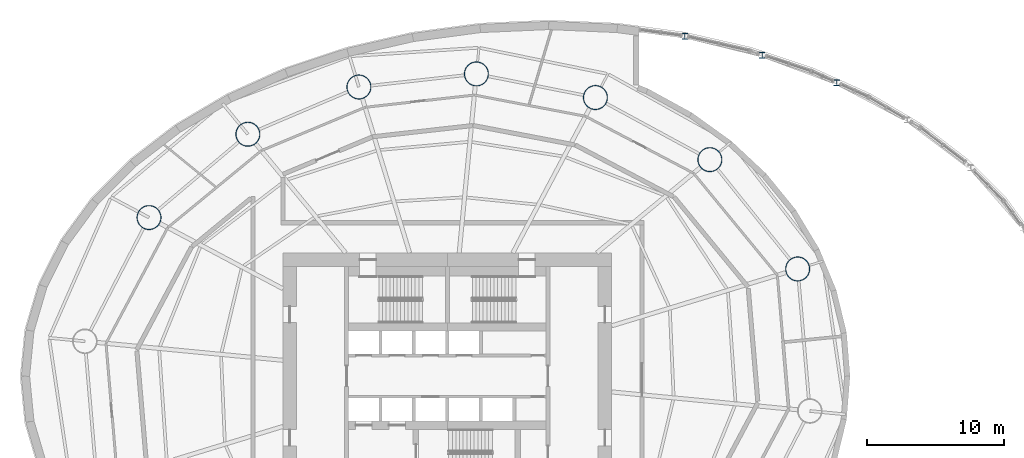
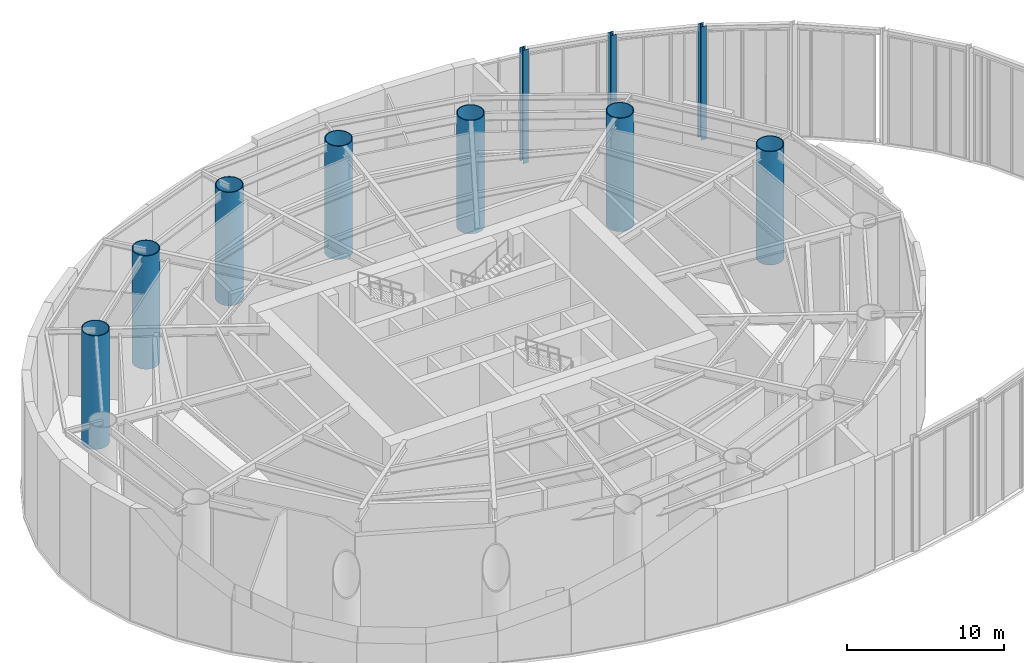
# One storey, part 2 of 19: 10 columns.
"""IFC4 building model written with IfcOpenShell, lengths in metres."""

from ifc_helpers import new_model, si_unit, direction, frame, origin, origin_2d, place, context, subcontext, project, spatial, hollow_circle, i_section, extrude, material, material_profile, profile_set, type_object, element, save


model = new_model("IFC4")

# Units and contexts
model_context = context("Model", 3, precision=1e-05, world=origin(), true_north=direction((0.0, 1.0)))
body_context = subcontext(model_context, "Body", "Model", "MODEL_VIEW")
ifc_project = project(units=[si_unit("LENGTHUNIT", "METRE"), si_unit("AREAUNIT", "SQUARE_METRE"), si_unit("VOLUMEUNIT", "CUBIC_METRE"), si_unit("PLANEANGLEUNIT", "RADIAN"), si_unit("MASSUNIT", "GRAM", prefix="KILO")], contexts=[model_context])

# Site, building, storey
site_placement = place(None, origin())
site = spatial("IfcSite", under=ifc_project, at=site_placement, CompositionType="ELEMENT")
building_placement = place(site_placement, origin())
building = spatial("IfcBuilding", under=site, at=building_placement, Name="Vermilion Reach Broadcast Tower", CompositionType="ELEMENT")
storey_placement = place(building_placement, frame((0.0, 0.0, 8.0)))
storey = spatial("IfcBuildingStorey", under=building, at=storey_placement, Name="L01", CompositionType="ELEMENT", Elevation=8.0)

# Columns
ifc_material_1 = material(Name="Steel S460NL", Category="steel")
ifc_material_profile_1 = material_profile(ifc_material_1, i_section(OverallWidth=0.406982421875, OverallDepth=0.427978515625, WebThickness=0.02001953125, FlangeThickness=0.034912109375, at=origin_2d()), Name="S460NL HW 428x407x20x35")
ifc_profile_set_1 = profile_set([ifc_material_profile_1], Name="Steel S460NL")
column_type_1 = type_object("IfcColumnType", Name="AP HW 428x407x20x35", PredefinedType="COLUMN", material=ifc_profile_set_1)
for number, where, z_axis, x_axis, name in (
    (1, (22.43115234375, 21.408935546875, 0.0), (0.0, 0.0, 1.0), (1.0, 0.0, 0.0), "Atrium post AP13"),
    (2, (16.984619140625, 23.43505859375, 0.0), (0.0, 0.0, 1.0), (1.0, 0.0, 0.0), "Atrium post AP14"),
    (3, (11.337158203125, 24.81884765625, 0.0), (0.0, 0.0, 1.0), (1.0, 0.0, 0.0), "Atrium post AP15"),
):
    element("IfcColumn", number, at=place(storey_placement, frame(where, z_axis=z_axis, x_axis=x_axis)), inside=storey, type_object=column_type_1, Name=name, PredefinedType="COLUMN", context=body_context, shape_type="SweptSolid", body=[
        extrude(i_section(OverallWidth=0.406982421875, OverallDepth=0.427978515625, WebThickness=0.02001953125, FlangeThickness=0.034912109375, at=origin_2d()), origin(), (0.0, 0.0, 1.0), 8.800048828125),
    ])
ifc_material_2 = material(Name="Concrete C80 infill in steel S460NL tube", Category="concrete")
ifc_material_profile_2 = material_profile(ifc_material_2, hollow_circle(Radius=0.89990234375, WallThickness=0.06005859375, at=origin_2d()), Name="Concrete C80 infill in steel S460NL tube CFT 1800x60")
ifc_profile_set_2 = profile_set([ifc_material_profile_2], Name="Concrete C80 infill in steel S460NL tube")
column_type_2 = type_object("IfcColumnType", Name="MC1 CFT 1800x60", PredefinedType="COLUMN", material=ifc_profile_set_2)
for number, where, z_axis, x_axis, name in (
    (4, (19.575439453125, 7.823974609375, 0.0), (0.0, 0.0, 1.0), (1.0, 0.0, 0.0), "Mega-column MC1-01"),
    (5, (13.166259765625, 15.804931640625, 0.0), (0.0, 0.0, 1.0), (1.0, 0.0, 0.0), "Mega-column MC1-02"),
    (6, (4.809814453125, 20.3388671875, 0.0), (0.0, 0.0, 1.0), (1.0, 0.0, 0.0), "Mega-column MC1-03"),
    (7, (-3.87939453125, 22.06396484375, 0.0), (0.0, 0.0, 1.0), (1.0, 0.0, 0.0), "Mega-column MC1-04"),
    (8, (-12.45751953125, 21.108154296875, 0.0), (0.0, 0.0, 1.0), (1.0, 0.0, 0.0), "Mega-column MC1-05"),
    (9, (-20.563232421875, 17.660400390625, 0.0), (0.0, 0.0, 1.0), (1.0, 0.0, 0.0), "Mega-column MC1-06"),
    (10, (-27.77978515625, 11.57568359375, 0.0), (0.0, 0.0, 1.0), (1.0, 0.0, 0.0), "Mega-column MC1-07"),
):
    element("IfcColumn", number, at=place(storey_placement, frame(where, z_axis=z_axis, x_axis=x_axis)), inside=storey, type_object=column_type_2, Name=name, PredefinedType="COLUMN", context=body_context, shape_type="SweptSolid", body=[
        extrude(hollow_circle(Radius=0.89990234375, WallThickness=0.06005859375, at=origin_2d()), origin(), (0.0, 0.0, 1.0), 8.800048828125),
    ])

save(model, "model.ifc")
